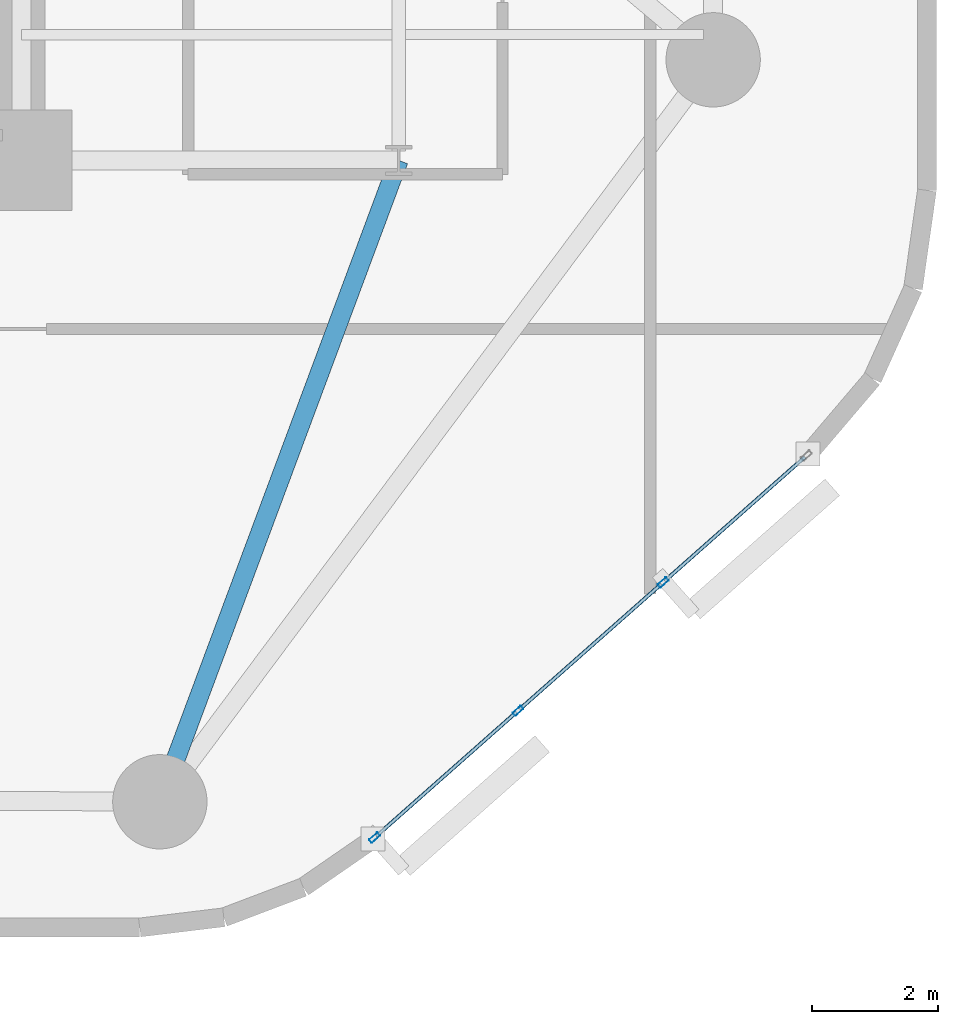
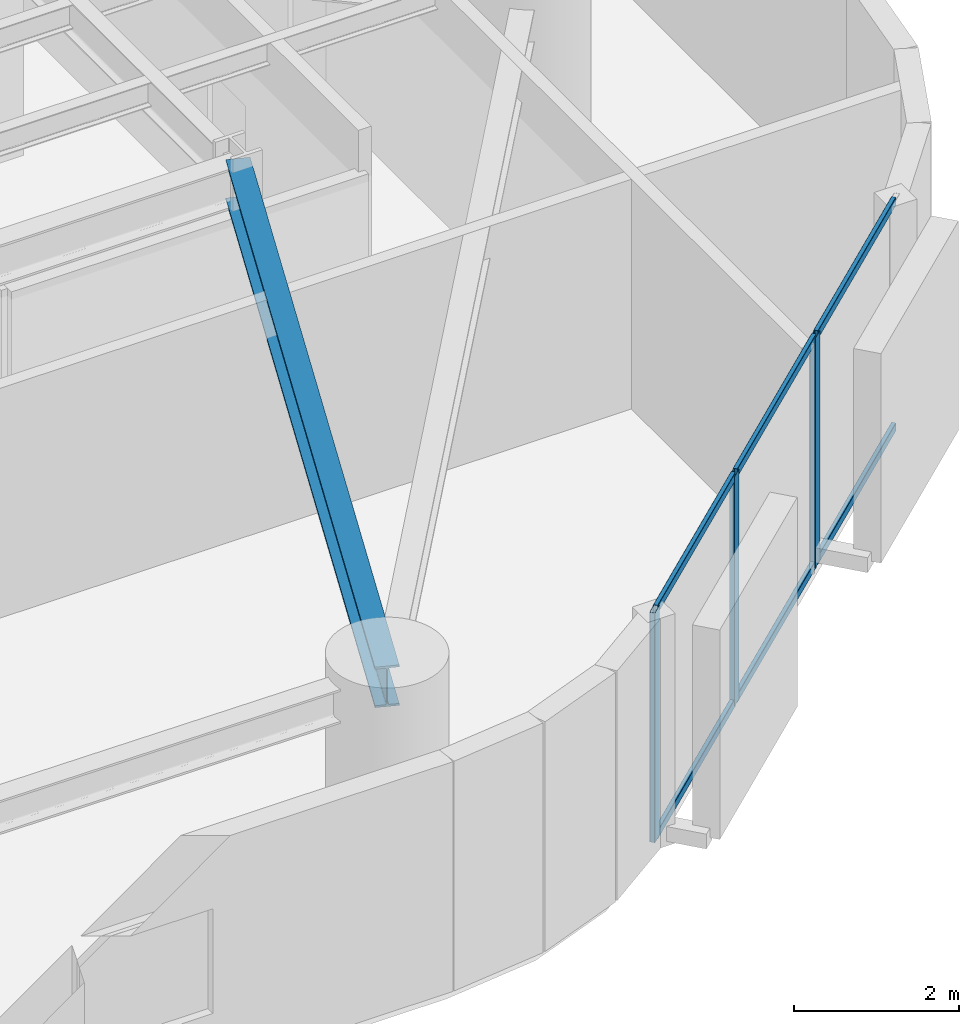
# One storey, part 2 of 16: 9 members, 1 beam, 1 element without a shape of its own.
"""IFC4 building model written with IfcOpenShell, lengths in metres."""

from ifc_helpers import new_model, si_unit, direction, frame, origin, origin_2d, place, context, subcontext, project, spatial, hollow_rectangle, i_section, extrude, material, layer, layer_set, material_profile, profile_set, type_object, element, aggregate, save


model = new_model("IFC4")

# Units and contexts
model_context = context("Model", 3, precision=1e-05, world=origin(), true_north=direction((0.0, 1.0)))
body_context = subcontext(model_context, "Body", "Model", "MODEL_VIEW")
ifc_project = project(units=[si_unit("LENGTHUNIT", "METRE"), si_unit("AREAUNIT", "SQUARE_METRE"), si_unit("VOLUMEUNIT", "CUBIC_METRE"), si_unit("PLANEANGLEUNIT", "RADIAN"), si_unit("MASSUNIT", "GRAM", prefix="KILO")], contexts=[model_context])

# Site, building, storey
site_placement = place(None, origin())
site = spatial("IfcSite", under=ifc_project, at=site_placement, CompositionType="ELEMENT")
building_placement = place(site_placement, origin())
building = spatial("IfcBuilding", under=site, at=building_placement, Name="An Khanh Terracotta Commons", CompositionType="ELEMENT")
storey_placement = place(building_placement, frame((0.0, 0.0, 68.39990234375)))
storey = spatial("IfcBuildingStorey", under=building, at=storey_placement, Name="L18", CompositionType="ELEMENT", Elevation=68.39990234375)

# Beam
ifc_material_1 = material(Name="Steel S355J2", Category="steel")
ifc_material_profile_1 = material_profile(ifc_material_1, i_section(OverallWidth=0.300048828125, OverallDepth=0.60009765625, WebThickness=0.015380859375, FlangeThickness=0.030029296875, FilletRadius=0.027099609375, at=origin_2d()), Name="HEB600")
ifc_profile_set_1 = profile_set([ifc_material_profile_1], Name="Steel S355J2")
beam_type = type_object("IfcBeamType", Name="BM-HEB600", PredefinedType="BEAM", material=ifc_profile_set_1)
beam_placement = place(storey_placement, frame((39.39990234375, 4.199951171875, 3.10009765625), z_axis=(0.349114429862, 0.937080100558, 0.0), x_axis=(-0.937080100558, 0.349114429862, 0.0)))
element("IfcBeam", 1, at=beam_placement, inside=storey, type_object=beam_type, Name="L18 Mega-Column Tie Girder 2", PredefinedType="BEAM", context=body_context, shape_type="SweptSolid", body=[
    extrude(i_section(OverallWidth=0.300048828125, OverallDepth=0.60009765625, WebThickness=0.015380859375, FlangeThickness=0.030029296875, FilletRadius=0.027099609375, at=origin_2d()), origin(), (0.0, 0.0, 1.0), 10.884765625),
])

# Curtain wall, members
ifc_material_2 = material(Name="Anodised Aluminium 6063-T6", Category="aluminium")
ifc_layer = layer(ifc_material_2, 0.199951171875, Name="Anodised Aluminium 6063-T6")
ifc_layer_set = layer_set([ifc_layer], Name="Anodised Aluminium 6063-T6")
curtain_wall_type = type_object("IfcCurtainWallType", Name="CW-SYS-02", PredefinedType="USERDEFINED", material=ifc_layer_set)
curtain_wall_placement = place(storey_placement, origin())
curtain_wall = element("IfcCurtainWall", 2, at=curtain_wall_placement, inside=storey, type_object=curtain_wall_type, Name="L18 CW-02 Unitised Curtain Wall CW-L18-08", ObjectType="UNITISED CURTAIN WALL", PredefinedType="USERDEFINED")
ifc_material_profile_2 = material_profile(ifc_material_2, hollow_rectangle(XDim=0.070068359375, YDim=0.179931640625, WallThickness=0.00390625, InnerFilletRadius=0.00390625, OuterFilletRadius=0.008056640625, at=origin_2d()), Name="RHS180x70x4")
ifc_profile_set_2 = profile_set([ifc_material_profile_2], Name="Anodised Aluminium 6063-T6")
member_type_1 = type_object("IfcMemberType", Name="CWM-RHS180x70x4", PredefinedType="MULLION", material=ifc_profile_set_2)
member_1_placement = place(storey_placement, frame((42.815185546875, 3.629150390625, 0.0), z_axis=(0.0, 0.0, 1.0), x_axis=(-0.662548195415, 0.749019284633, 0.0)))
member_1 = element("IfcMember", 3, at=member_1_placement, type_object=member_type_1, Name="CW-02 mullion 1", PredefinedType="MULLION", context=body_context, shape_type="SweptSolid", body=[
    extrude(hollow_rectangle(XDim=0.070068359375, YDim=0.179931640625, WallThickness=0.00390625, InnerFilletRadius=0.00390625, OuterFilletRadius=0.008056640625, at=origin_2d()), origin(), (0.0, 0.0, 1.0), 3.400146484375),
])
member_2_placement = place(storey_placement, frame((45.095947265625, 5.646728515625, 0.0), z_axis=(0.0, 0.0, 1.0), x_axis=(-0.662548195415, 0.749019284633, 0.0)))
member_2 = element("IfcMember", 4, at=member_2_placement, type_object=member_type_1, Name="CW-02 mullion 2", PredefinedType="MULLION", context=body_context, shape_type="SweptSolid", body=[
    extrude(hollow_rectangle(XDim=0.070068359375, YDim=0.179931640625, WallThickness=0.00390625, InnerFilletRadius=0.00390625, OuterFilletRadius=0.008056640625, at=origin_2d()), origin(), (0.0, 0.0, 1.0), 3.400146484375),
])
member_3_placement = place(storey_placement, frame((47.403076171875, 7.687255859375, 0.0), z_axis=(0.0, 0.0, 1.0), x_axis=(-0.662548195415, 0.749019284633, 0.0)))
member_3 = element("IfcMember", 5, at=member_3_placement, type_object=member_type_1, Name="CW-02 mullion 3", PredefinedType="MULLION", context=body_context, shape_type="SweptSolid", body=[
    extrude(hollow_rectangle(XDim=0.070068359375, YDim=0.179931640625, WallThickness=0.00390625, InnerFilletRadius=0.00390625, OuterFilletRadius=0.008056640625, at=origin_2d()), origin(), (0.0, 0.0, 1.0), 3.400146484375),
])
ifc_material_profile_3 = material_profile(ifc_material_2, hollow_rectangle(XDim=0.06005859375, YDim=0.1201171875, WallThickness=0.003662109375, InnerFilletRadius=0.003662109375, OuterFilletRadius=0.007080078125, at=origin_2d()), Name="RHS120x60x3.6")
ifc_profile_set_3 = profile_set([ifc_material_profile_3], Name="Anodised Aluminium 6063-T6")
member_type_2 = type_object("IfcMemberType", Name="CWT-RHS120x60x3.6", PredefinedType="USERDEFINED", material=ifc_profile_set_3)
member_4_placement = place(storey_placement, frame((42.841552734375, 3.65234375, 0.030029296875), z_axis=(0.74899186341, 0.662579194168, 0.0), x_axis=(-0.662579194168, 0.74899186341, 0.0)))
member_4 = element("IfcMember", 6, at=member_4_placement, type_object=member_type_2, Name="CW-02 transom 1.1", ObjectType="TRANSOM", PredefinedType="USERDEFINED", context=body_context, shape_type="SweptSolid", body=[
    extrude(hollow_rectangle(XDim=0.06005859375, YDim=0.1201171875, WallThickness=0.003662109375, InnerFilletRadius=0.003662109375, OuterFilletRadius=0.007080078125, at=origin_2d()), origin(), (0.0, 0.0, 1.0), 2.97509765625),
])
member_5_placement = place(storey_placement, frame((42.841552734375, 3.65234375, 3.3701171875), z_axis=(0.74899186341, 0.662579194168, 0.0), x_axis=(-0.662579194168, 0.74899186341, 0.0)))
member_5 = element("IfcMember", 7, at=member_5_placement, type_object=member_type_2, Name="CW-02 transom 1.2", ObjectType="TRANSOM", PredefinedType="USERDEFINED", context=body_context, shape_type="SweptSolid", body=[
    extrude(hollow_rectangle(XDim=0.06005859375, YDim=0.1201171875, WallThickness=0.003662109375, InnerFilletRadius=0.003662109375, OuterFilletRadius=0.007080078125, at=origin_2d()), origin(), (0.0, 0.0, 1.0), 2.97509765625),
])
member_6_placement = place(storey_placement, frame((45.122314453125, 5.669921875, 0.030029296875), z_axis=(0.749018237701, 0.662549378984, 0.0), x_axis=(-0.662549378984, 0.749018237701, 0.0)))
member_6 = element("IfcMember", 8, at=member_6_placement, type_object=member_type_2, Name="CW-02 transom 2.1", ObjectType="TRANSOM", PredefinedType="USERDEFINED", context=body_context, shape_type="SweptSolid", body=[
    extrude(hollow_rectangle(XDim=0.06005859375, YDim=0.1201171875, WallThickness=0.003662109375, InnerFilletRadius=0.003662109375, OuterFilletRadius=0.007080078125, at=origin_2d()), origin(), (0.0, 0.0, 1.0), 3.009765625),
])
member_7_placement = place(storey_placement, frame((45.122314453125, 5.669921875, 3.3701171875), z_axis=(0.749018237701, 0.662549378984, 0.0), x_axis=(-0.662549378984, 0.749018237701, 0.0)))
member_7 = element("IfcMember", 9, at=member_7_placement, type_object=member_type_2, Name="CW-02 transom 2.2", ObjectType="TRANSOM", PredefinedType="USERDEFINED", context=body_context, shape_type="SweptSolid", body=[
    extrude(hollow_rectangle(XDim=0.06005859375, YDim=0.1201171875, WallThickness=0.003662109375, InnerFilletRadius=0.003662109375, OuterFilletRadius=0.007080078125, at=origin_2d()), origin(), (0.0, 0.0, 1.0), 3.009765625),
])
member_8_placement = place(storey_placement, frame((47.42919921875, 7.71044921875, 0.030029296875), z_axis=(0.74899186341, 0.662579194168, 0.0), x_axis=(-0.662579194168, 0.74899186341, 0.0)))
member_8 = element("IfcMember", 10, at=member_8_placement, type_object=member_type_2, Name="CW-02 transom 3.1", ObjectType="TRANSOM", PredefinedType="USERDEFINED", context=body_context, shape_type="SweptSolid", body=[
    extrude(hollow_rectangle(XDim=0.06005859375, YDim=0.1201171875, WallThickness=0.003662109375, InnerFilletRadius=0.003662109375, OuterFilletRadius=0.007080078125, at=origin_2d()), origin(), (0.0, 0.0, 1.0), 2.97509765625),
])
member_9_placement = place(storey_placement, frame((47.42919921875, 7.71044921875, 3.3701171875), z_axis=(0.74899186341, 0.662579194168, 0.0), x_axis=(-0.662579194168, 0.74899186341, 0.0)))
member_9 = element("IfcMember", 11, at=member_9_placement, type_object=member_type_2, Name="CW-02 transom 3.2", ObjectType="TRANSOM", PredefinedType="USERDEFINED", context=body_context, shape_type="SweptSolid", body=[
    extrude(hollow_rectangle(XDim=0.06005859375, YDim=0.1201171875, WallThickness=0.003662109375, InnerFilletRadius=0.003662109375, OuterFilletRadius=0.007080078125, at=origin_2d()), origin(), (0.0, 0.0, 1.0), 2.97509765625),
])
aggregate(curtain_wall, [member_1, member_2, member_3, member_4, member_5, member_6, member_7, member_8, member_9])

save(model, "model.ifc")
